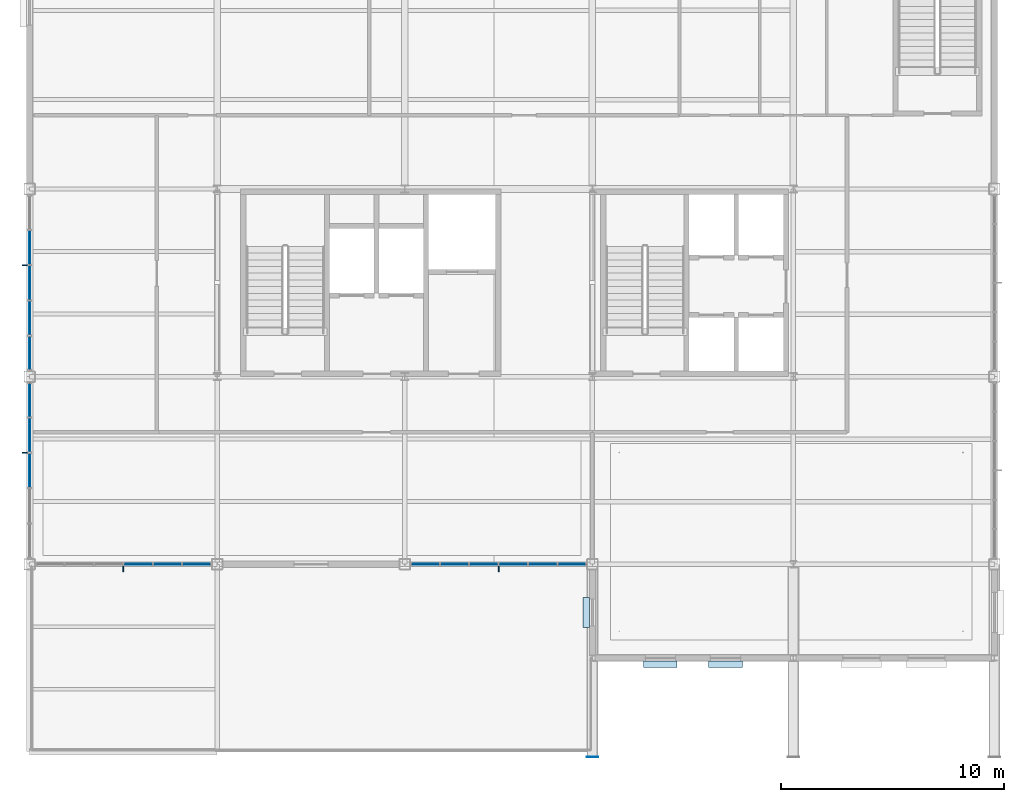
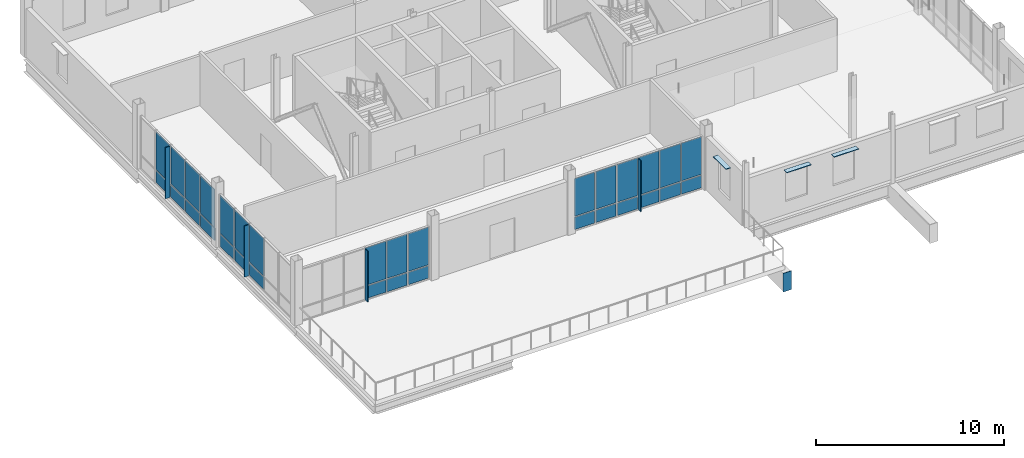
# One storey, part 10 of 22: 40 plates, 4 elements without a shape of their own.
"""IFC4 building model written with IfcOpenShell, lengths in metres."""

from ifc_helpers import new_model, si_unit, direction, frame, origin, origin_2d, place, context, subcontext, project, spatial, rectangle, extrude, material, layer, layer_set, type_object, element, aggregate, save


model = new_model("IFC4")

# Units and contexts
model_context = context("Model", 3, precision=1e-05, world=origin(), true_north=direction((0.0, 1.0)))
body_context = subcontext(model_context, "Body", "Model", "MODEL_VIEW")
ifc_project = project(units=[si_unit("LENGTHUNIT", "METRE"), si_unit("AREAUNIT", "SQUARE_METRE"), si_unit("VOLUMEUNIT", "CUBIC_METRE"), si_unit("PLANEANGLEUNIT", "RADIAN"), si_unit("MASSUNIT", "GRAM", prefix="KILO")], contexts=[model_context])

# Site, building, storey
site_placement = place(None, origin())
site = spatial("IfcSite", under=ifc_project, at=site_placement, CompositionType="ELEMENT")
building_placement = place(site_placement, origin())
building = spatial("IfcBuilding", under=site, at=building_placement, Name="Yukiwa Park Conservatory and Herbarium", CompositionType="ELEMENT")
storey_placement = place(building_placement, frame((0.0, 0.0, 35.39990234375)))
storey = spatial("IfcBuildingStorey", under=building, at=storey_placement, Name="L09", CompositionType="ELEMENT", Elevation=35.39990234375)

# Plate
ifc_material_1 = material(Name="Steel Q355D", Category="steel")
ifc_layer_1 = layer(ifc_material_1, 0.02392578125)
ifc_layer_set_1 = layer_set([ifc_layer_1], Name="Steel Q355D")
plate_type_1 = type_object("IfcPlateType", Name="PL-CAP-24", PredefinedType="USERDEFINED", material=ifc_layer_set_1)
plate_1_placement = place(storey_placement, frame((150.0, 77.780029296875, -0.90478515625), z_axis=(0.0, -1.0, 0.0), x_axis=(1.0, 0.0, 0.0)))
element("IfcPlate", 1, at=plate_1_placement, inside=storey, type_object=plate_type_1, Name="Hollow section end cap plate CAP-TG2-1-S", ObjectType="END CAP PLATE", PredefinedType="USERDEFINED", context=body_context, shape_type="SweptSolid", body=[
    extrude(rectangle(XDim=0.508056640625, YDim=1.2080078125, at=origin_2d()), origin(), (0.0, 0.0, 1.0), 0.02392578125),
])

# Curtain wall, plates
ifc_material_2 = material(Name="Triple Low-E Insulated Glass", Category="glass")
ifc_layer_2 = layer(ifc_material_2, 0.260009765625)
ifc_layer_set_2 = layer_set([ifc_layer_2], Name="Triple Low-E Insulated Glass")
curtain_wall_type_1 = type_object("IfcCurtainWallType", Name="CW-TOWER-LAB-W-1500", PredefinedType="NOTDEFINED", material=ifc_layer_set_2)
curtain_wall_1_placement = place(storey_placement, origin())
curtain_wall_1 = element("IfcCurtainWall", 2, at=curtain_wall_1_placement, inside=storey, type_object=curtain_wall_type_1, Name="L09 unitised curtain wall CW-L09-101", PredefinedType="NOTDEFINED")
ifc_material_3 = material(Name="Triple Low-E Insulated Glass", Category="glass")
ifc_layer_3 = layer(ifc_material_3, 0.035888671875)
ifc_layer_set_3 = layer_set([ifc_layer_3], Name="Triple Low-E Insulated Glass")
plate_type_2 = type_object("IfcPlateType", Name="PL-CW-GLZ-36", PredefinedType="CURTAIN_PANEL", material=ifc_layer_set_3)
plate_2_placement = place(storey_placement, frame((124.800048828125, 100.580078125, 0.93505859375), z_axis=(0.0, 0.0, 1.0), x_axis=(0.0, -1.0, 0.0)))
plate_2 = element("IfcPlate", 3, at=plate_2_placement, type_object=plate_type_2, Name="CW-L09-101 vision panel 2.2", PredefinedType="CURTAIN_PANEL", context=body_context, shape_type="SweptSolid", body=[
    extrude(rectangle(XDim=1.510009765625, YDim=0.035888671875, at=origin_2d()), origin(), (0.0, 0.0, 1.0), 2.443115234375),
])
plate_3_placement = place(storey_placement, frame((124.800048828125, 99.0, 0.93505859375), z_axis=(0.0, 0.0, 1.0), x_axis=(0.0, -1.0, 0.0)))
plate_3 = element("IfcPlate", 4, at=plate_3_placement, type_object=plate_type_2, Name="CW-L09-101 vision panel 3.2", PredefinedType="CURTAIN_PANEL", context=body_context, shape_type="SweptSolid", body=[
    extrude(rectangle(XDim=1.510009765625, YDim=0.035888671875, at=origin_2d()), origin(), (0.0, 0.0, 1.0), 2.443115234375),
])
plate_4_placement = place(storey_placement, frame((124.800048828125, 97.419921875, 0.93505859375), z_axis=(0.0, 0.0, 1.0), x_axis=(0.0, -1.0, 0.0)))
plate_4 = element("IfcPlate", 5, at=plate_4_placement, type_object=plate_type_2, Name="CW-L09-101 vision panel 4.2", PredefinedType="CURTAIN_PANEL", context=body_context, shape_type="SweptSolid", body=[
    extrude(rectangle(XDim=1.510009765625, YDim=0.035888671875, at=origin_2d()), origin(), (0.0, 0.0, 1.0), 2.443115234375),
])
plate_5_placement = place(storey_placement, frame((124.800048828125, 95.840087890625, 0.93505859375), z_axis=(0.0, 0.0, 1.0), x_axis=(0.0, -1.0, 0.0)))
plate_5 = element("IfcPlate", 6, at=plate_5_placement, type_object=plate_type_2, Name="CW-L09-101 vision panel 5.2", PredefinedType="CURTAIN_PANEL", context=body_context, shape_type="SweptSolid", body=[
    extrude(rectangle(XDim=1.510009765625, YDim=0.035888671875, at=origin_2d()), origin(), (0.0, 0.0, 1.0), 2.443115234375),
])

curtain_wall_2_placement = place(storey_placement, origin())
curtain_wall_2 = element("IfcCurtainWall", 7, at=curtain_wall_2_placement, inside=storey, type_object=curtain_wall_type_1, Name="L09 unitised curtain wall CW-L09-102", PredefinedType="NOTDEFINED")
plate_6_placement = place(storey_placement, frame((124.800048828125, 93.760009765625, 0.93505859375), z_axis=(0.0, 0.0, 1.0), x_axis=(0.0, -1.0, 0.0)))
plate_6 = element("IfcPlate", 8, at=plate_6_placement, type_object=plate_type_2, Name="CW-L09-102 vision panel 1.2", PredefinedType="CURTAIN_PANEL", context=body_context, shape_type="SweptSolid", body=[
    extrude(rectangle(XDim=1.510009765625, YDim=0.035888671875, at=origin_2d()), origin(), (0.0, 0.0, 1.0), 2.443115234375),
])
plate_7_placement = place(storey_placement, frame((124.800048828125, 92.179931640625, 0.93505859375), z_axis=(0.0, 0.0, 1.0), x_axis=(0.0, -1.0, 0.0)))
plate_7 = element("IfcPlate", 9, at=plate_7_placement, type_object=plate_type_2, Name="CW-L09-102 vision panel 2.2", PredefinedType="CURTAIN_PANEL", context=body_context, shape_type="SweptSolid", body=[
    extrude(rectangle(XDim=1.510009765625, YDim=0.035888671875, at=origin_2d()), origin(), (0.0, 0.0, 1.0), 2.443115234375),
])
plate_8_placement = place(storey_placement, frame((124.800048828125, 90.60009765625, 0.93505859375), z_axis=(0.0, 0.0, 1.0), x_axis=(0.0, -1.0, 0.0)))
plate_8 = element("IfcPlate", 10, at=plate_8_placement, type_object=plate_type_2, Name="CW-L09-102 vision panel 3.2", PredefinedType="CURTAIN_PANEL", context=body_context, shape_type="SweptSolid", body=[
    extrude(rectangle(XDim=1.510009765625, YDim=0.035888671875, at=origin_2d()), origin(), (0.0, 0.0, 1.0), 2.443115234375),
])

ifc_material_4 = material(Name="Triple Low-E Insulated Glass", Category="glass")
ifc_layer_4 = layer(ifc_material_4, 0.248046875)
ifc_layer_set_4 = layer_set([ifc_layer_4], Name="Triple Low-E Insulated Glass")
curtain_wall_type_2 = type_object("IfcCurtainWallType", Name="CW-TOWER-LAB-S-1400", PredefinedType="NOTDEFINED", material=ifc_layer_set_4)
curtain_wall_3_placement = place(storey_placement, origin())
curtain_wall_3 = element("IfcCurtainWall", 11, at=curtain_wall_3_placement, inside=storey, type_object=curtain_wall_type_2, Name="L09 unitised curtain wall CW-L09-103", PredefinedType="NOTDEFINED")
plate_9_placement = place(storey_placement, frame((129.658203125, 86.39990234375, 0.93505859375), z_axis=(0.0, 0.0, 1.0), x_axis=(1.0, 0.0, 0.0)))
plate_9 = element("IfcPlate", 12, at=plate_9_placement, type_object=plate_type_2, Name="CW-L09-103 vision panel 4.2", PredefinedType="CURTAIN_PANEL", context=body_context, shape_type="SweptSolid", body=[
    extrude(rectangle(XDim=1.24658203125, YDim=0.035888671875, at=origin_2d()), origin(), (0.0, 0.0, 1.0), 2.443115234375),
])
plate_10_placement = place(storey_placement, frame((130.97509765625, 86.39990234375, 0.93505859375), z_axis=(0.0, 0.0, 1.0), x_axis=(1.0, 0.0, 0.0)))
plate_10 = element("IfcPlate", 13, at=plate_10_placement, type_object=plate_type_2, Name="CW-L09-103 vision panel 5.2", PredefinedType="CURTAIN_PANEL", context=body_context, shape_type="SweptSolid", body=[
    extrude(rectangle(XDim=1.24658203125, YDim=0.035888671875, at=origin_2d()), origin(), (0.0, 0.0, 1.0), 2.443115234375),
])
plate_11_placement = place(storey_placement, frame((132.291748046875, 86.39990234375, 0.93505859375), z_axis=(0.0, 0.0, 1.0), x_axis=(1.0, 0.0, 0.0)))
plate_11 = element("IfcPlate", 14, at=plate_11_placement, type_object=plate_type_2, Name="CW-L09-103 vision panel 6.2", PredefinedType="CURTAIN_PANEL", context=body_context, shape_type="SweptSolid", body=[
    extrude(rectangle(XDim=1.24658203125, YDim=0.035888671875, at=origin_2d()), origin(), (0.0, 0.0, 1.0), 2.443115234375),
])

curtain_wall_4_placement = place(storey_placement, origin())
curtain_wall_4 = element("IfcCurtainWall", 15, at=curtain_wall_4_placement, inside=storey, type_object=curtain_wall_type_2, Name="L09 unitised curtain wall CW-L09-104", PredefinedType="NOTDEFINED")
plate_12_placement = place(storey_placement, frame((142.50830078125, 86.39990234375, 0.93505859375), z_axis=(0.0, 0.0, 1.0), x_axis=(1.0, 0.0, 0.0)))
plate_12 = element("IfcPlate", 16, at=plate_12_placement, type_object=plate_type_2, Name="CW-L09-104 vision panel 1.2", PredefinedType="CURTAIN_PANEL", context=body_context, shape_type="SweptSolid", body=[
    extrude(rectangle(XDim=1.24658203125, YDim=0.035888671875, at=origin_2d()), origin(), (0.0, 0.0, 1.0), 2.443115234375),
])
plate_13_placement = place(storey_placement, frame((143.824951171875, 86.39990234375, 0.93505859375), z_axis=(0.0, 0.0, 1.0), x_axis=(1.0, 0.0, 0.0)))
plate_13 = element("IfcPlate", 17, at=plate_13_placement, type_object=plate_type_2, Name="CW-L09-104 vision panel 2.2", PredefinedType="CURTAIN_PANEL", context=body_context, shape_type="SweptSolid", body=[
    extrude(rectangle(XDim=1.24658203125, YDim=0.035888671875, at=origin_2d()), origin(), (0.0, 0.0, 1.0), 2.443115234375),
])
plate_14_placement = place(storey_placement, frame((145.1416015625, 86.39990234375, 0.93505859375), z_axis=(0.0, 0.0, 1.0), x_axis=(1.0, 0.0, 0.0)))
plate_14 = element("IfcPlate", 18, at=plate_14_placement, type_object=plate_type_2, Name="CW-L09-104 vision panel 3.2", PredefinedType="CURTAIN_PANEL", context=body_context, shape_type="SweptSolid", body=[
    extrude(rectangle(XDim=1.24658203125, YDim=0.035888671875, at=origin_2d()), origin(), (0.0, 0.0, 1.0), 2.443115234375),
])
plate_15_placement = place(storey_placement, frame((146.458251953125, 86.39990234375, 0.93505859375), z_axis=(0.0, 0.0, 1.0), x_axis=(1.0, 0.0, 0.0)))
plate_15 = element("IfcPlate", 19, at=plate_15_placement, type_object=plate_type_2, Name="CW-L09-104 vision panel 4.2", PredefinedType="CURTAIN_PANEL", context=body_context, shape_type="SweptSolid", body=[
    extrude(rectangle(XDim=1.24658203125, YDim=0.035888671875, at=origin_2d()), origin(), (0.0, 0.0, 1.0), 2.443115234375),
])
plate_16_placement = place(storey_placement, frame((147.77490234375, 86.39990234375, 0.93505859375), z_axis=(0.0, 0.0, 1.0), x_axis=(1.0, 0.0, 0.0)))
plate_16 = element("IfcPlate", 20, at=plate_16_placement, type_object=plate_type_2, Name="CW-L09-104 vision panel 5.2", PredefinedType="CURTAIN_PANEL", context=body_context, shape_type="SweptSolid", body=[
    extrude(rectangle(XDim=1.24658203125, YDim=0.035888671875, at=origin_2d()), origin(), (0.0, 0.0, 1.0), 2.443115234375),
])
plate_17_placement = place(storey_placement, frame((149.091796875, 86.39990234375, 0.93505859375), z_axis=(0.0, 0.0, 1.0), x_axis=(1.0, 0.0, 0.0)))
plate_17 = element("IfcPlate", 21, at=plate_17_placement, type_object=plate_type_2, Name="CW-L09-104 vision panel 6.2", PredefinedType="CURTAIN_PANEL", context=body_context, shape_type="SweptSolid", body=[
    extrude(rectangle(XDim=1.24658203125, YDim=0.035888671875, at=origin_2d()), origin(), (0.0, 0.0, 1.0), 2.443115234375),
])

# Plate
ifc_material_5 = material(Name="Anodised Aluminium", Category="aluminium")
ifc_layer_5 = layer(ifc_material_5, 0.044921875)
ifc_layer_set_5 = layer_set([ifc_layer_5], Name="Anodised Aluminium")
plate_type_3 = type_object("IfcPlateType", Name="PL-CW-SPN-45", PredefinedType="CURTAIN_PANEL", material=ifc_layer_set_5)
plate_18_placement = place(storey_placement, frame((124.800048828125, 100.580078125, 0.070068359375), z_axis=(0.0, 0.0, 1.0), x_axis=(0.0, -1.0, 0.0)))
plate_18 = element("IfcPlate", 22, at=plate_18_placement, type_object=plate_type_3, Name="CW-L09-101 spandrel panel 2.1", PredefinedType="CURTAIN_PANEL", context=body_context, shape_type="SweptSolid", body=[
    extrude(rectangle(XDim=1.510009765625, YDim=0.044921875, at=origin_2d()), origin(), (0.0, 0.0, 1.0), 0.794921875),
])

plate_19_placement = place(storey_placement, frame((124.800048828125, 99.0, 0.070068359375), z_axis=(0.0, 0.0, 1.0), x_axis=(0.0, -1.0, 0.0)))
plate_19 = element("IfcPlate", 23, at=plate_19_placement, type_object=plate_type_3, Name="CW-L09-101 spandrel panel 3.1", PredefinedType="CURTAIN_PANEL", context=body_context, shape_type="SweptSolid", body=[
    extrude(rectangle(XDim=1.510009765625, YDim=0.044921875, at=origin_2d()), origin(), (0.0, 0.0, 1.0), 0.794921875),
])

plate_20_placement = place(storey_placement, frame((124.800048828125, 97.419921875, 0.070068359375), z_axis=(0.0, 0.0, 1.0), x_axis=(0.0, -1.0, 0.0)))
plate_20 = element("IfcPlate", 24, at=plate_20_placement, type_object=plate_type_3, Name="CW-L09-101 spandrel panel 4.1", PredefinedType="CURTAIN_PANEL", context=body_context, shape_type="SweptSolid", body=[
    extrude(rectangle(XDim=1.510009765625, YDim=0.044921875, at=origin_2d()), origin(), (0.0, 0.0, 1.0), 0.794921875),
])

plate_21_placement = place(storey_placement, frame((124.800048828125, 95.840087890625, 0.070068359375), z_axis=(0.0, 0.0, 1.0), x_axis=(0.0, -1.0, 0.0)))
plate_21 = element("IfcPlate", 25, at=plate_21_placement, type_object=plate_type_3, Name="CW-L09-101 spandrel panel 5.1", PredefinedType="CURTAIN_PANEL", context=body_context, shape_type="SweptSolid", body=[
    extrude(rectangle(XDim=1.510009765625, YDim=0.044921875, at=origin_2d()), origin(), (0.0, 0.0, 1.0), 0.794921875),
])

aggregate(curtain_wall_1, [plate_18, plate_2, plate_19, plate_3, plate_20, plate_4, plate_21, plate_5])

plate_22_placement = place(storey_placement, frame((124.800048828125, 93.760009765625, 0.070068359375), z_axis=(0.0, 0.0, 1.0), x_axis=(0.0, -1.0, 0.0)))
plate_22 = element("IfcPlate", 26, at=plate_22_placement, type_object=plate_type_3, Name="CW-L09-102 spandrel panel 1.1", PredefinedType="CURTAIN_PANEL", context=body_context, shape_type="SweptSolid", body=[
    extrude(rectangle(XDim=1.510009765625, YDim=0.044921875, at=origin_2d()), origin(), (0.0, 0.0, 1.0), 0.794921875),
])

plate_23_placement = place(storey_placement, frame((124.800048828125, 92.179931640625, 0.070068359375), z_axis=(0.0, 0.0, 1.0), x_axis=(0.0, -1.0, 0.0)))
plate_23 = element("IfcPlate", 27, at=plate_23_placement, type_object=plate_type_3, Name="CW-L09-102 spandrel panel 2.1", PredefinedType="CURTAIN_PANEL", context=body_context, shape_type="SweptSolid", body=[
    extrude(rectangle(XDim=1.510009765625, YDim=0.044921875, at=origin_2d()), origin(), (0.0, 0.0, 1.0), 0.794921875),
])

plate_24_placement = place(storey_placement, frame((124.800048828125, 90.60009765625, 0.070068359375), z_axis=(0.0, 0.0, 1.0), x_axis=(0.0, -1.0, 0.0)))
plate_24 = element("IfcPlate", 28, at=plate_24_placement, type_object=plate_type_3, Name="CW-L09-102 spandrel panel 3.1", PredefinedType="CURTAIN_PANEL", context=body_context, shape_type="SweptSolid", body=[
    extrude(rectangle(XDim=1.510009765625, YDim=0.044921875, at=origin_2d()), origin(), (0.0, 0.0, 1.0), 0.794921875),
])

aggregate(curtain_wall_2, [plate_22, plate_6, plate_23, plate_7, plate_24, plate_8])

plate_25_placement = place(storey_placement, frame((129.658203125, 86.39990234375, 0.070068359375), z_axis=(0.0, 0.0, 1.0), x_axis=(1.0, 0.0, 0.0)))
plate_25 = element("IfcPlate", 29, at=plate_25_placement, type_object=plate_type_3, Name="CW-L09-103 spandrel panel 4.1", PredefinedType="CURTAIN_PANEL", context=body_context, shape_type="SweptSolid", body=[
    extrude(rectangle(XDim=1.24658203125, YDim=0.044921875, at=origin_2d()), origin(), (0.0, 0.0, 1.0), 0.794921875),
])

plate_26_placement = place(storey_placement, frame((130.97509765625, 86.39990234375, 0.070068359375), z_axis=(0.0, 0.0, 1.0), x_axis=(1.0, 0.0, 0.0)))
plate_26 = element("IfcPlate", 30, at=plate_26_placement, type_object=plate_type_3, Name="CW-L09-103 spandrel panel 5.1", PredefinedType="CURTAIN_PANEL", context=body_context, shape_type="SweptSolid", body=[
    extrude(rectangle(XDim=1.24658203125, YDim=0.044921875, at=origin_2d()), origin(), (0.0, 0.0, 1.0), 0.794921875),
])

plate_27_placement = place(storey_placement, frame((132.291748046875, 86.39990234375, 0.070068359375), z_axis=(0.0, 0.0, 1.0), x_axis=(1.0, 0.0, 0.0)))
plate_27 = element("IfcPlate", 31, at=plate_27_placement, type_object=plate_type_3, Name="CW-L09-103 spandrel panel 6.1", PredefinedType="CURTAIN_PANEL", context=body_context, shape_type="SweptSolid", body=[
    extrude(rectangle(XDim=1.24658203125, YDim=0.044921875, at=origin_2d()), origin(), (0.0, 0.0, 1.0), 0.794921875),
])

aggregate(curtain_wall_3, [plate_25, plate_9, plate_26, plate_10, plate_27, plate_11])

plate_28_placement = place(storey_placement, frame((142.50830078125, 86.39990234375, 0.070068359375), z_axis=(0.0, 0.0, 1.0), x_axis=(1.0, 0.0, 0.0)))
plate_28 = element("IfcPlate", 32, at=plate_28_placement, type_object=plate_type_3, Name="CW-L09-104 spandrel panel 1.1", PredefinedType="CURTAIN_PANEL", context=body_context, shape_type="SweptSolid", body=[
    extrude(rectangle(XDim=1.24658203125, YDim=0.044921875, at=origin_2d()), origin(), (0.0, 0.0, 1.0), 0.794921875),
])

plate_29_placement = place(storey_placement, frame((143.824951171875, 86.39990234375, 0.070068359375), z_axis=(0.0, 0.0, 1.0), x_axis=(1.0, 0.0, 0.0)))
plate_29 = element("IfcPlate", 33, at=plate_29_placement, type_object=plate_type_3, Name="CW-L09-104 spandrel panel 2.1", PredefinedType="CURTAIN_PANEL", context=body_context, shape_type="SweptSolid", body=[
    extrude(rectangle(XDim=1.24658203125, YDim=0.044921875, at=origin_2d()), origin(), (0.0, 0.0, 1.0), 0.794921875),
])

plate_30_placement = place(storey_placement, frame((145.1416015625, 86.39990234375, 0.070068359375), z_axis=(0.0, 0.0, 1.0), x_axis=(1.0, 0.0, 0.0)))
plate_30 = element("IfcPlate", 34, at=plate_30_placement, type_object=plate_type_3, Name="CW-L09-104 spandrel panel 3.1", PredefinedType="CURTAIN_PANEL", context=body_context, shape_type="SweptSolid", body=[
    extrude(rectangle(XDim=1.24658203125, YDim=0.044921875, at=origin_2d()), origin(), (0.0, 0.0, 1.0), 0.794921875),
])

plate_31_placement = place(storey_placement, frame((146.458251953125, 86.39990234375, 0.070068359375), z_axis=(0.0, 0.0, 1.0), x_axis=(1.0, 0.0, 0.0)))
plate_31 = element("IfcPlate", 35, at=plate_31_placement, type_object=plate_type_3, Name="CW-L09-104 spandrel panel 4.1", PredefinedType="CURTAIN_PANEL", context=body_context, shape_type="SweptSolid", body=[
    extrude(rectangle(XDim=1.24658203125, YDim=0.044921875, at=origin_2d()), origin(), (0.0, 0.0, 1.0), 0.794921875),
])

plate_32_placement = place(storey_placement, frame((147.77490234375, 86.39990234375, 0.070068359375), z_axis=(0.0, 0.0, 1.0), x_axis=(1.0, 0.0, 0.0)))
plate_32 = element("IfcPlate", 36, at=plate_32_placement, type_object=plate_type_3, Name="CW-L09-104 spandrel panel 5.1", PredefinedType="CURTAIN_PANEL", context=body_context, shape_type="SweptSolid", body=[
    extrude(rectangle(XDim=1.24658203125, YDim=0.044921875, at=origin_2d()), origin(), (0.0, 0.0, 1.0), 0.794921875),
])

plate_33_placement = place(storey_placement, frame((149.091796875, 86.39990234375, 0.070068359375), z_axis=(0.0, 0.0, 1.0), x_axis=(1.0, 0.0, 0.0)))
plate_33 = element("IfcPlate", 37, at=plate_33_placement, type_object=plate_type_3, Name="CW-L09-104 spandrel panel 6.1", PredefinedType="CURTAIN_PANEL", context=body_context, shape_type="SweptSolid", body=[
    extrude(rectangle(XDim=1.24658203125, YDim=0.044921875, at=origin_2d()), origin(), (0.0, 0.0, 1.0), 0.794921875),
])

aggregate(curtain_wall_4, [plate_28, plate_12, plate_29, plate_13, plate_30, plate_14, plate_31, plate_15, plate_32, plate_16, plate_33, plate_17])

# Plates
ifc_material_6 = material(Name="Anodised Aluminium", Category="aluminium")
ifc_layer_6 = layer(ifc_material_6, 0.050048828125)
ifc_layer_set_6 = layer_set([ifc_layer_6], Name="Anodised Aluminium")
plate_type_4 = type_object("IfcPlateType", Name="PL-FIN-ALU-50", PredefinedType="USERDEFINED", material=ifc_layer_set_6)
for number, where, z_axis, x_axis, name in (
    (38, (124.610107421875, 99.7900390625, 0.06005859375), (0.0, 0.0, 1.0), (0.0, -1.0, 0.0), "CW-L09-101 exterior vertical shading fin"),
    (39, (124.610107421875, 91.389892578125, 0.06005859375), (0.0, 0.0, 1.0), (0.0, -1.0, 0.0), "CW-L09-102 exterior vertical shading fin"),
    (40, (129.0, 86.2099609375, 0.06005859375), (0.0, 0.0, 1.0), (1.0, 0.0, 0.0), "CW-L09-103 exterior vertical shading fin"),
    (41, (145.800048828125, 86.2099609375, 0.06005859375), (0.0, 0.0, 1.0), (1.0, 0.0, 0.0), "CW-L09-104 exterior vertical shading fin"),
):
    element("IfcPlate", number, at=place(storey_placement, frame(where, z_axis=z_axis, x_axis=x_axis)), inside=storey, type_object=plate_type_4, Name=name, ObjectType="SHADING FIN", PredefinedType="USERDEFINED", context=body_context, shape_type="SweptSolid", body=[
        extrude(rectangle(XDim=0.050048828125, YDim=0.280029296875, at=origin_2d()), origin(), (0.0, 0.0, 1.0), 3.327880859375),
    ])
ifc_material_7 = material(Name="Anodised Aluminium", Category="aluminium")
ifc_layer_7 = layer(ifc_material_7, 0.0400390625)
ifc_layer_set_7 = layer_set([ifc_layer_7], Name="Anodised Aluminium")
plate_type_5 = type_object("IfcPlateType", Name="PL-SHADE-ALU-40", PredefinedType="SHEET", material=ifc_layer_set_7)
plate_34_placement = place(storey_placement, frame((149.719970703125, 84.237060546875, 2.989990234375), z_axis=(0.0, 0.0, 1.0), x_axis=(0.0, -1.0, 0.0)))
element("IfcPlate", 42, at=plate_34_placement, inside=storey, type_object=plate_type_5, Name="L09 snow-shedding window hood 173", PredefinedType="SHEET", context=body_context, shape_type="SweptSolid", body=[
    extrude(rectangle(XDim=1.360107421875, YDim=0.300048828125, at=origin_2d()), origin(), (0.0, 0.0, 1.0), 0.0400390625),
])
for number, where, z_axis, x_axis, name in (
    (43, (153.0419921875, 81.919921875, 2.900146484375), (0.0, 0.0, 1.0), (1.0, 0.0, 0.0), "L09 snow-shedding window hood 174"),
    (44, (155.9580078125, 81.919921875, 2.900146484375), (0.0, 0.0, 1.0), (1.0, 0.0, 0.0), "L09 snow-shedding window hood 175"),
):
    element("IfcPlate", number, at=place(storey_placement, frame(where, z_axis=z_axis, x_axis=x_axis)), inside=storey, type_object=plate_type_5, Name=name, PredefinedType="SHEET", context=body_context, shape_type="SweptSolid", body=[
        extrude(rectangle(XDim=1.510009765625, YDim=0.300048828125, at=origin_2d()), origin(), (0.0, 0.0, 1.0), 0.0400390625),
    ])

save(model, "model.ifc")
